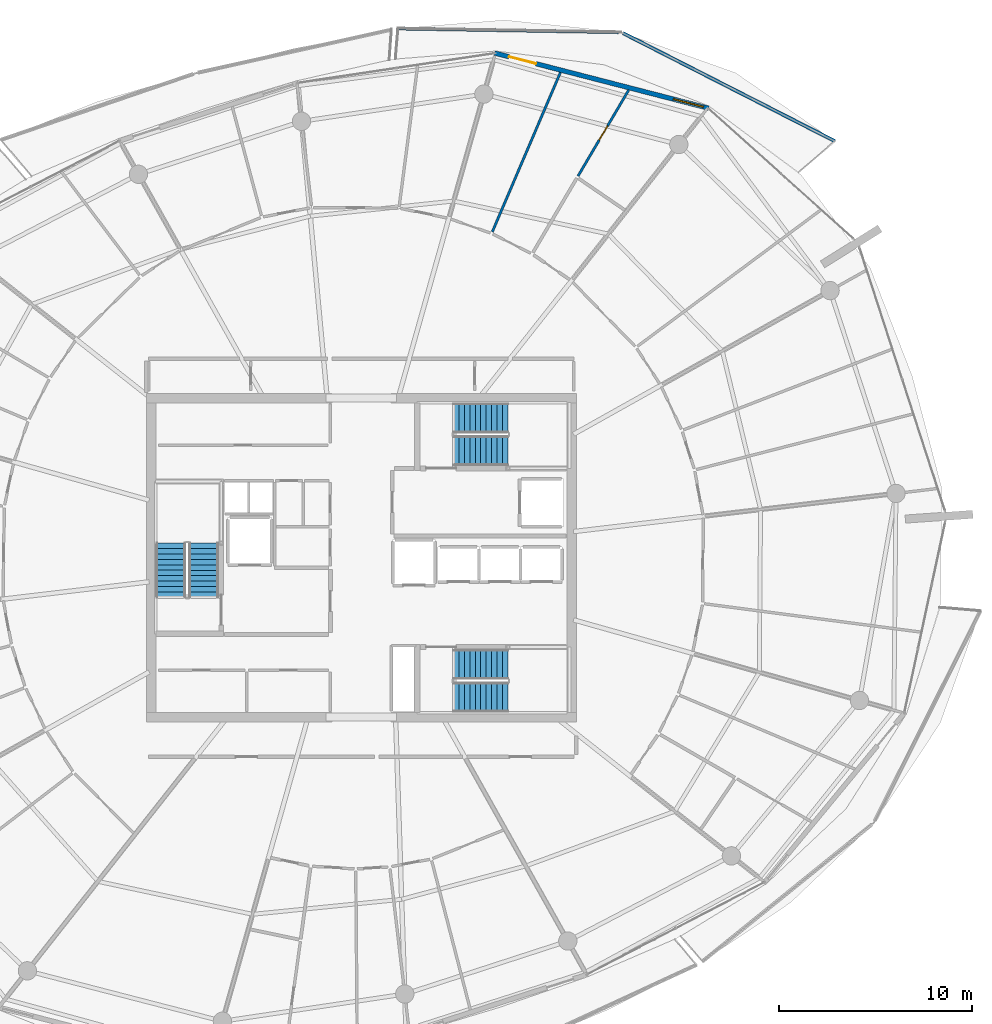
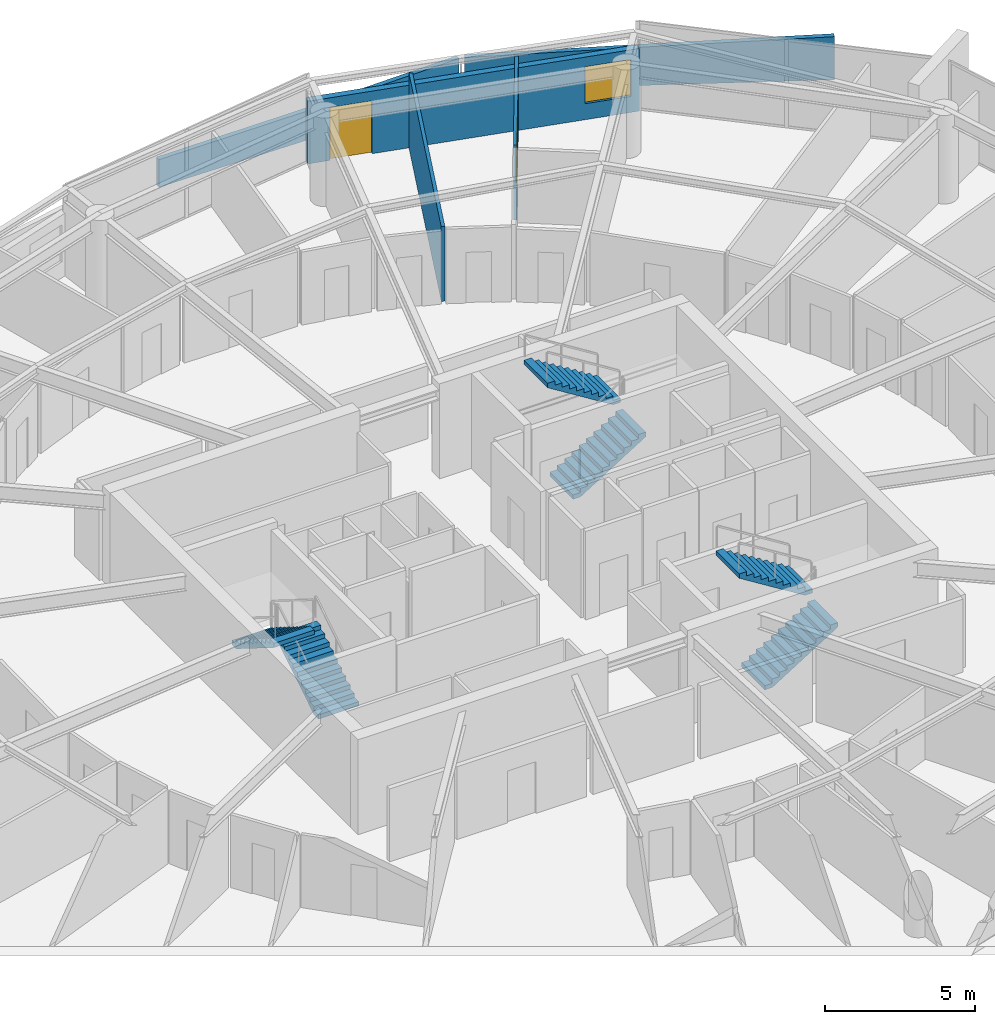
# One storey, part 23 of 30: 6 stair flights, 5 walls, 2 doors, 1 window, 3 openings, 3 elements without a shape of their own.
"""IFC4 building model written with IfcOpenShell, lengths in metres."""

from ifc_helpers import new_model, si_unit, direction, frame, frame_2d, origin, place, context, subcontext, project, spatial, polyline, rectangle, outline, extrude, material, layer, layer_set, type_object, element, fill, aggregate, save


model = new_model("IFC4")

# Units and contexts
model_context = context("Model", 3, precision=1e-05, world=origin(), true_north=direction((0.0, 1.0)))
body_context = subcontext(model_context, "Body", "Model", "MODEL_VIEW")
ifc_project = project(units=[si_unit("LENGTHUNIT", "METRE"), si_unit("AREAUNIT", "SQUARE_METRE"), si_unit("VOLUMEUNIT", "CUBIC_METRE"), si_unit("PLANEANGLEUNIT", "RADIAN"), si_unit("MASSUNIT", "GRAM", prefix="KILO")], contexts=[model_context])

# Site, building, storey
site_placement = place(None, origin())
site = spatial("IfcSite", under=ifc_project, at=site_placement, CompositionType="ELEMENT")
building_placement = place(site_placement, origin())
building = spatial("IfcBuilding", under=site, at=building_placement, Name="Kazma Halo Residences", CompositionType="ELEMENT")
storey_placement = place(building_placement, frame((0.0, 0.0, 298.300048828125)))
storey = spatial("IfcBuildingStorey", under=building, at=storey_placement, Name="L75", CompositionType="ELEMENT", Elevation=298.300048828125)

# Walls
ifc_material_1 = material(Name="White Concrete C50/60 Balustrade", Category="concrete")
ifc_layer_1 = layer(ifc_material_1, 0.179931640625)
ifc_layer_set_1 = layer_set([ifc_layer_1], Name="White Concrete C50/60 Balustrade")
wall_type_1 = type_object("IfcWallType", Name="WL-BAL-WAVE-180", PredefinedType="PARAPET", material=ifc_layer_set_1)
wall_1_placement = place(storey_placement, frame((72.91748046875, 63.546142578125, 0.0), z_axis=(0.0, 0.0, 1.0), x_axis=(-0.890886303028, 0.454226369861, 0.0)))
element("IfcWall", 1, at=wall_1_placement, inside=storey, type_object=wall_type_1, Name="L75 white wave balustrade wall NE.1", PredefinedType="PARAPET", context=body_context, shape_type="SweptSolid", body=[
    extrude(outline(polyline([(0.0, 0.0), (12.2998046875, 0.0), (12.2998046875, 1.347900390625), (6.14990234375, 1.56201171875), (0.0, 1.7470703125), (0.0, 0.0)])), frame((0.0, 0.08984375, 0.0), z_axis=(0.0, -1.0, 0.0), x_axis=(1.0, 0.0, 0.0)), (0.0, 0.0, 1.0), 0.179931640625),
])
wall_2_placement = place(storey_placement, frame((61.732666015625, 69.189453125, 0.0), z_axis=(0.0, 0.0, 1.0), x_axis=(-0.999862171908, 0.016602324761, 0.0)))
element("IfcWall", 2, at=wall_2_placement, inside=storey, type_object=wall_type_1, Name="L75 white wave balustrade wall NE.2", PredefinedType="PARAPET", context=body_context, shape_type="SweptSolid", body=[
    extrude(outline(polyline([(0.0, 0.0), (11.4111328125, 0.0), (11.4111328125, 1.119873046875), (5.70556640625, 1.181884765625), (0.0, 1.347900390625), (0.0, 0.0)])), frame((0.0, 0.08984375, 0.0), z_axis=(0.0, -1.0, 0.0), x_axis=(1.0, 0.0, 0.0)), (0.0, 0.0, 1.0), 0.179931640625),
])

# Wall, openings, door, window
ifc_material_2 = material(Name="Insulated Pale-Metal Composite Wall")
ifc_layer_2 = layer(ifc_material_2, 0.239990234375)
ifc_layer_set_2 = layer_set([ifc_layer_2], Name="Insulated Pale-Metal Composite Wall")
wall_type_2 = type_object("IfcWallType", Name="WL-EXT-HOST-240", PredefinedType="SOLIDWALL", material=ifc_layer_set_2)
wall_3_placement = place(storey_placement, frame((66.386474609375, 65.2490234375, 0.0), z_axis=(0.0, 0.0, 1.0), x_axis=(-0.968343758421, 0.249620442927, 0.0)))
wall_3 = element("IfcWall", 3, at=wall_3_placement, inside=storey, type_object=wall_type_2, Name="L75 exterior terrace-access wall B02", PredefinedType="SOLIDWALL", context=body_context, shape_type="SweptSolid", body=[
    extrude(rectangle(XDim=11.438232421875, YDim=0.239990234375, at=frame_2d((5.71923828125, 0.0))), origin(), (0.0, 0.0, 1.0), 2.5400390625),
])
opening_1_placement = place(wall_3_placement, frame((9.21826171875, 0.0, 0.0)))
opening_1 = element("IfcOpeningElement", 4, at=opening_1_placement, cuts=wall_3, Name="Opening DTR-1600", PredefinedType="OPENING", context=body_context, shape_type="SweptSolid", body=[
    extrude(rectangle(XDim=1.449951171875, YDim=2.14990234375, at=frame_2d((0.72509765625, 1.074951171875))), frame((0.0, 0.1298828125, 0.0), z_axis=(0.0, -1.0, 0.0), x_axis=(1.0, 0.0, 0.0)), (0.0, 0.0, 1.0), 0.260009765625),
])
opening_2_placement = place(wall_3_placement, frame((0.280029296875, 0.0, 0.64990234375)))
opening_2 = element("IfcOpeningElement", 5, at=opening_2_placement, cuts=wall_3, Name="Opening W-1800", PredefinedType="OPENING", context=body_context, shape_type="SweptSolid", body=[
    extrude(rectangle(XDim=1.60009765625, YDim=1.5, at=frame_2d((0.800048828125, 0.75))), frame((0.0, 0.1298828125, 0.0), z_axis=(0.0, -1.0, 0.0), x_axis=(1.0, 0.0, 0.0)), (0.0, 0.0, 1.0), 0.260009765625),
])
ifc_material_3 = material(Name="Aluminium AW-6063 T6 Double-Glazed Terrace Door", Category="aluminium")
door_type_1 = type_object("IfcDoorType", Name="DR-EXT-TERR-1600", OperationType="NOTDEFINED", PredefinedType="DOOR", material=ifc_material_3)
door_1_placement = place(opening_1_placement, origin())
door_1 = element("IfcDoor", 6, at=door_1_placement, inside=storey, type_object=door_type_1, Name="L75 B02 balcony terrace door", OperationType="DOUBLE_DOOR_SLIDING", OverallHeight=2.14990234375, OverallWidth=1.449951171875, PredefinedType="DOOR", context=body_context, shape_type="SweptSolid", body=[
    extrude(rectangle(XDim=1.449951171875, YDim=2.14990234375, at=frame_2d((0.72509765625, 1.074951171875))), frame((0.0, 0.02490234375, 0.0), z_axis=(0.0, -1.0, 0.0), x_axis=(1.0, 0.0, 0.0)), (0.0, 0.0, 1.0), 0.050048828125),
])
fill(opening_1, door_1)
ifc_material_4 = material(Name="Clear Triple-Silver Low-E Glass in Aluminium AW-6063 T6 Frame", Category="aluminium")
window_type = type_object("IfcWindowType", Name="WIN-RES-1800", PartitioningType="DOUBLE_PANEL_VERTICAL", PredefinedType="WINDOW", material=ifc_material_4)
window_placement = place(opening_2_placement, origin())
window = element("IfcWindow", 7, at=window_placement, inside=storey, type_object=window_type, Name="L75 B02 apartment window", OverallHeight=1.5, OverallWidth=1.60009765625, PartitioningType="SINGLE_PANEL", PredefinedType="WINDOW", context=body_context, shape_type="SweptSolid", body=[
    extrude(rectangle(XDim=1.60009765625, YDim=1.5, at=frame_2d((0.800048828125, 0.75))), frame((0.0, 0.030029296875, 0.0), z_axis=(0.0, -1.0, 0.0), x_axis=(1.0, 0.0, 0.0)), (0.0, 0.0, 1.0), 0.06005859375),
])
fill(opening_2, window)

# Wall, opening, door
ifc_material_5 = material(Name="Gypsum Plasterboard Partition")
ifc_layer_3 = layer(ifc_material_5, 0.125)
ifc_layer_set_3 = layer_set([ifc_layer_3], Name="Gypsum Plasterboard Partition")
wall_type_3 = type_object("IfcWallType", Name="WL-PART-125", PredefinedType="PARTITIONING", material=ifc_layer_set_3)
wall_4_placement = place(storey_placement, frame((59.63427734375, 61.742919921875, 0.0), z_axis=(0.0, 0.0, 1.0), x_axis=(0.507642154879, 0.861568013908, 0.0)))
wall_4 = element("IfcWall", 8, at=wall_4_placement, inside=storey, type_object=wall_type_3, Name="L75 Apartment 2 Corner Walk-In Wardrobe partition wall", PredefinedType="PARTITIONING", context=body_context, shape_type="SweptSolid", body=[
    extrude(rectangle(XDim=5.161865234375, YDim=0.125, at=frame_2d((2.5810546875, 0.0))), origin(), (0.0, 0.0, 1.0), 3.030029296875),
])
opening_3_placement = place(wall_4_placement, frame((2.156005859375, 0.0, 0.0)))
opening_3 = element("IfcOpeningElement", 9, at=opening_3_placement, cuts=wall_4, Name="Opening DB-900", PredefinedType="OPENING", context=body_context, shape_type="SweptSolid", body=[
    extrude(rectangle(XDim=0.85009765625, YDim=2.06005859375, at=frame_2d((0.425048828125, 1.030029296875))), frame((0.0, 0.072509765625, 0.0), z_axis=(0.0, -1.0, 0.0), x_axis=(1.0, 0.0, 0.0)), (0.0, 0.0, 1.0), 0.14501953125),
])
ifc_material_6 = material(Name="Moisture-Sealed Timber Leaf", Category="wood")
door_type_2 = type_object("IfcDoorType", Name="DR-BTH-900", OperationType="NOTDEFINED", PredefinedType="DOOR", material=ifc_material_6)
door_2_placement = place(opening_3_placement, origin())
door_2 = element("IfcDoor", 10, at=door_2_placement, inside=storey, type_object=door_type_2, Name="L75 Apartment 2 Corner Walk-In Wardrobe door", OperationType="SINGLE_SWING_RIGHT", OverallHeight=2.06005859375, OverallWidth=0.85009765625, PredefinedType="DOOR", context=body_context, shape_type="SweptSolid", body=[
    extrude(rectangle(XDim=0.85009765625, YDim=2.06005859375, at=frame_2d((0.425048828125, 1.030029296875))), frame((0.0, 0.02490234375, 0.0), z_axis=(0.0, -1.0, 0.0), x_axis=(1.0, 0.0, 0.0)), (0.0, 0.0, 1.0), 0.050048828125),
])
fill(opening_3, door_2)

# Wall
wall_5_placement = place(storey_placement, frame((55.19873046875, 58.852783203125, 0.0), z_axis=(0.0, 0.0, 1.0), x_axis=(0.392818008104, 0.919616231104, 0.0)))
element("IfcWall", 11, at=wall_5_placement, inside=storey, type_object=wall_type_3, Name="L75 Apartment 2 suite divider 1", PredefinedType="PARTITIONING", context=body_context, shape_type="SweptSolid", body=[
    extrude(rectangle(XDim=8.96533203125, YDim=0.125, at=frame_2d((4.482666015625, 0.0))), origin(), (0.0, 0.0, 1.0), 3.030029296875),
])

# Stair, stair flights
ifc_material_7 = material(Name="Concrete C50/60", Category="concrete")
stair_type = type_object("IfcStairType", Name="STR-RES2", PredefinedType="HALF_TURN_STAIR", material=ifc_material_7)
stair_1_placement = place(storey_placement, origin())
stair_1 = element("IfcStair", 12, at=stair_1_placement, inside=storey, type_object=stair_type, Name="L75 Core exit stair ST-01", PredefinedType="HALF_TURN_STAIR")
stair_flight_type = type_object("IfcStairFlightType", Name="STR-RES2-FLT", PredefinedType="STRAIGHT", material=ifc_material_7)
stair_flight_1_placement = place(storey_placement, frame((40.27490234375, 39.949951171875, 0.0), z_axis=(0.0, 0.0, 1.0), x_axis=(0.0, 1.0, 0.0)))
stair_flight_1 = element("IfcStairFlight", 13, at=stair_flight_1_placement, type_object=stair_flight_type, Name="ST-01 flight 1", NumberOfRisers=11, NumberOfTreads=10, PredefinedType="STRAIGHT", RiserHeight=0.175, TreadLength=0.28, context=body_context, shape_type="SweptSolid", body=[
    extrude(outline(polyline([(0.0, 0.0), (0.0, 0.175048828125), (0.280029296875, 0.175048828125), (0.280029296875, 0.35009765625), (0.56005859375, 0.35009765625), (0.56005859375, 0.52490234375), (0.840087890625, 0.52490234375), (0.840087890625, 0.699951171875), (1.1201171875, 0.699951171875), (1.1201171875, 0.875), (1.39990234375, 0.875), (1.39990234375, 1.050048828125), (1.679931640625, 1.050048828125), (1.679931640625, 1.22509765625), (1.9599609375, 1.22509765625), (1.9599609375, 1.39990234375), (2.239990234375, 1.39990234375), (2.239990234375, 1.574951171875), (2.52001953125, 1.574951171875), (2.52001953125, 1.75), (2.800048828125, 1.75), (2.800048828125, 1.925048828125), (2.800048828125, 1.5732421875), (0.28271484375, 0.0), (0.0, 0.0)])), frame((0.0, 0.77490234375, 0.0), z_axis=(0.0, -1.0, 0.0), x_axis=(1.0, 0.0, 0.0)), (0.0, 0.0, 1.0), 1.550048828125),
])
stair_flight_2_placement = place(storey_placement, frame((38.574951171875, 42.75, 1.925048828125), z_axis=(0.0, 0.0, 1.0), x_axis=(0.0, -1.0, 0.0)))
stair_flight_2 = element("IfcStairFlight", 14, at=stair_flight_2_placement, type_object=stair_flight_type, Name="ST-01 flight 2", NumberOfRisers=11, NumberOfTreads=10, PredefinedType="STRAIGHT", RiserHeight=0.175, TreadLength=0.28, context=body_context, shape_type="SweptSolid", body=[
    extrude(outline(polyline([(0.0, 0.0), (0.0, 0.175048828125), (0.280029296875, 0.175048828125), (0.280029296875, 0.35009765625), (0.56005859375, 0.35009765625), (0.56005859375, 0.52490234375), (0.840087890625, 0.52490234375), (0.840087890625, 0.699951171875), (1.1201171875, 0.699951171875), (1.1201171875, 0.875), (1.39990234375, 0.875), (1.39990234375, 1.050048828125), (1.679931640625, 1.050048828125), (1.679931640625, 1.22509765625), (1.9599609375, 1.22509765625), (1.9599609375, 1.39990234375), (2.239990234375, 1.39990234375), (2.239990234375, 1.574951171875), (2.52001953125, 1.574951171875), (2.52001953125, 1.75), (2.800048828125, 1.75), (2.800048828125, 1.925048828125), (2.800048828125, 1.5732421875), (0.28271484375, 0.0), (0.0, 0.0)])), frame((0.0, 0.77490234375, 0.0), z_axis=(0.0, -1.0, 0.0), x_axis=(1.0, 0.0, 0.0)), (0.0, 0.0, 1.0), 1.550048828125),
])
aggregate(stair_1, [stair_flight_1, stair_flight_2])

stair_2_placement = place(storey_placement, origin())
stair_2 = element("IfcStair", 15, at=stair_2_placement, inside=storey, type_object=stair_type, Name="L75 Core exit stair ST-02", PredefinedType="HALF_TURN_STAIR")
stair_flight_3_placement = place(storey_placement, frame((53.199951171875, 47.52490234375, 0.0), z_axis=(0.0, 0.0, 1.0), x_axis=(1.0, 0.0, 0.0)))
stair_flight_3 = element("IfcStairFlight", 16, at=stair_flight_3_placement, type_object=stair_flight_type, Name="ST-02 flight 1", NumberOfRisers=11, NumberOfTreads=10, PredefinedType="STRAIGHT", RiserHeight=0.175, TreadLength=0.28, context=body_context, shape_type="SweptSolid", body=[
    extrude(outline(polyline([(0.0, 0.0), (0.0, 0.175048828125), (0.280029296875, 0.175048828125), (0.280029296875, 0.35009765625), (0.56005859375, 0.35009765625), (0.56005859375, 0.52490234375), (0.840087890625, 0.52490234375), (0.840087890625, 0.699951171875), (1.1201171875, 0.699951171875), (1.1201171875, 0.875), (1.39990234375, 0.875), (1.39990234375, 1.050048828125), (1.679931640625, 1.050048828125), (1.679931640625, 1.22509765625), (1.9599609375, 1.22509765625), (1.9599609375, 1.39990234375), (2.239990234375, 1.39990234375), (2.239990234375, 1.574951171875), (2.52001953125, 1.574951171875), (2.52001953125, 1.75), (2.800048828125, 1.75), (2.800048828125, 1.925048828125), (2.800048828125, 1.5732421875), (0.28271484375, 0.0), (0.0, 0.0)])), frame((0.0, 0.77490234375, 0.0), z_axis=(0.0, -1.0, 0.0), x_axis=(1.0, 0.0, 0.0)), (0.0, 0.0, 1.0), 1.550048828125),
])
stair_flight_4_placement = place(storey_placement, frame((56.0, 49.22509765625, 1.925048828125), z_axis=(0.0, 0.0, 1.0), x_axis=(-1.0, 0.0, 0.0)))
stair_flight_4 = element("IfcStairFlight", 17, at=stair_flight_4_placement, type_object=stair_flight_type, Name="ST-02 flight 2", NumberOfRisers=11, NumberOfTreads=10, PredefinedType="STRAIGHT", RiserHeight=0.175, TreadLength=0.28, context=body_context, shape_type="SweptSolid", body=[
    extrude(outline(polyline([(0.0, 0.0), (0.0, 0.175048828125), (0.280029296875, 0.175048828125), (0.280029296875, 0.35009765625), (0.56005859375, 0.35009765625), (0.56005859375, 0.52490234375), (0.840087890625, 0.52490234375), (0.840087890625, 0.699951171875), (1.1201171875, 0.699951171875), (1.1201171875, 0.875), (1.39990234375, 0.875), (1.39990234375, 1.050048828125), (1.679931640625, 1.050048828125), (1.679931640625, 1.22509765625), (1.9599609375, 1.22509765625), (1.9599609375, 1.39990234375), (2.239990234375, 1.39990234375), (2.239990234375, 1.574951171875), (2.52001953125, 1.574951171875), (2.52001953125, 1.75), (2.800048828125, 1.75), (2.800048828125, 1.925048828125), (2.800048828125, 1.5732421875), (0.28271484375, 0.0), (0.0, 0.0)])), frame((0.0, 0.77490234375, 0.0), z_axis=(0.0, -1.0, 0.0), x_axis=(1.0, 0.0, 0.0)), (0.0, 0.0, 1.0), 1.550048828125),
])
aggregate(stair_2, [stair_flight_3, stair_flight_4])

stair_3_placement = place(storey_placement, origin())
stair_3 = element("IfcStair", 18, at=stair_3_placement, inside=storey, type_object=stair_type, Name="L75 Core exit stair ST-03", PredefinedType="HALF_TURN_STAIR")
stair_flight_5_placement = place(storey_placement, frame((53.199951171875, 34.77490234375, 0.0), z_axis=(0.0, 0.0, 1.0), x_axis=(1.0, 0.0, 0.0)))
stair_flight_5 = element("IfcStairFlight", 19, at=stair_flight_5_placement, type_object=stair_flight_type, Name="ST-03 flight 1", NumberOfRisers=11, NumberOfTreads=10, PredefinedType="STRAIGHT", RiserHeight=0.175, TreadLength=0.28, context=body_context, shape_type="SweptSolid", body=[
    extrude(outline(polyline([(0.0, 0.0), (0.0, 0.175048828125), (0.280029296875, 0.175048828125), (0.280029296875, 0.35009765625), (0.56005859375, 0.35009765625), (0.56005859375, 0.52490234375), (0.840087890625, 0.52490234375), (0.840087890625, 0.699951171875), (1.1201171875, 0.699951171875), (1.1201171875, 0.875), (1.39990234375, 0.875), (1.39990234375, 1.050048828125), (1.679931640625, 1.050048828125), (1.679931640625, 1.22509765625), (1.9599609375, 1.22509765625), (1.9599609375, 1.39990234375), (2.239990234375, 1.39990234375), (2.239990234375, 1.574951171875), (2.52001953125, 1.574951171875), (2.52001953125, 1.75), (2.800048828125, 1.75), (2.800048828125, 1.925048828125), (2.800048828125, 1.5732421875), (0.28271484375, 0.0), (0.0, 0.0)])), frame((0.0, 0.77490234375, 0.0), z_axis=(0.0, -1.0, 0.0), x_axis=(1.0, 0.0, 0.0)), (0.0, 0.0, 1.0), 1.550048828125),
])
stair_flight_6_placement = place(storey_placement, frame((56.0, 36.47509765625, 1.925048828125), z_axis=(0.0, 0.0, 1.0), x_axis=(-1.0, 0.0, 0.0)))
stair_flight_6 = element("IfcStairFlight", 20, at=stair_flight_6_placement, type_object=stair_flight_type, Name="ST-03 flight 2", NumberOfRisers=11, NumberOfTreads=10, PredefinedType="STRAIGHT", RiserHeight=0.175, TreadLength=0.28, context=body_context, shape_type="SweptSolid", body=[
    extrude(outline(polyline([(0.0, 0.0), (0.0, 0.175048828125), (0.280029296875, 0.175048828125), (0.280029296875, 0.35009765625), (0.56005859375, 0.35009765625), (0.56005859375, 0.52490234375), (0.840087890625, 0.52490234375), (0.840087890625, 0.699951171875), (1.1201171875, 0.699951171875), (1.1201171875, 0.875), (1.39990234375, 0.875), (1.39990234375, 1.050048828125), (1.679931640625, 1.050048828125), (1.679931640625, 1.22509765625), (1.9599609375, 1.22509765625), (1.9599609375, 1.39990234375), (2.239990234375, 1.39990234375), (2.239990234375, 1.574951171875), (2.52001953125, 1.574951171875), (2.52001953125, 1.75), (2.800048828125, 1.75), (2.800048828125, 1.925048828125), (2.800048828125, 1.5732421875), (0.28271484375, 0.0), (0.0, 0.0)])), frame((0.0, 0.77490234375, 0.0), z_axis=(0.0, -1.0, 0.0), x_axis=(1.0, 0.0, 0.0)), (0.0, 0.0, 1.0), 1.550048828125),
])
aggregate(stair_3, [stair_flight_5, stair_flight_6])

save(model, "model.ifc")
